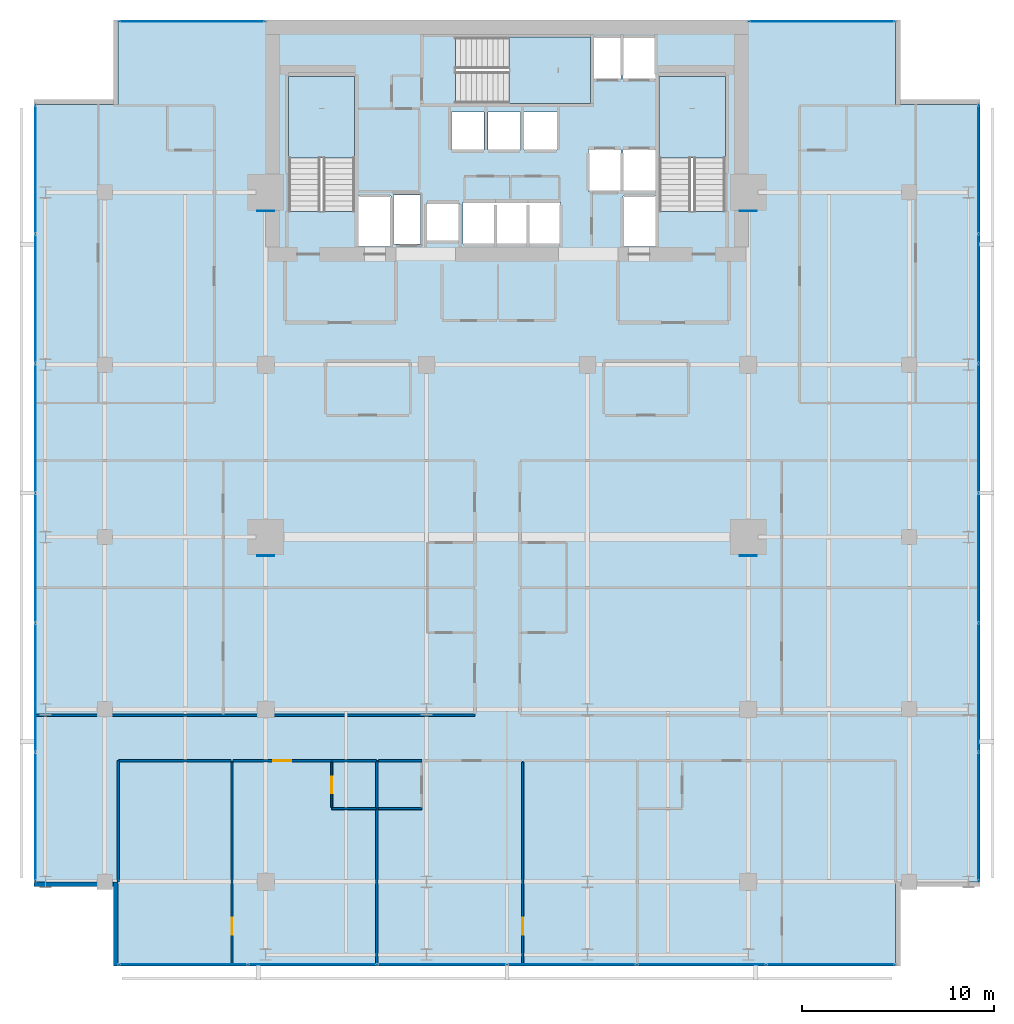
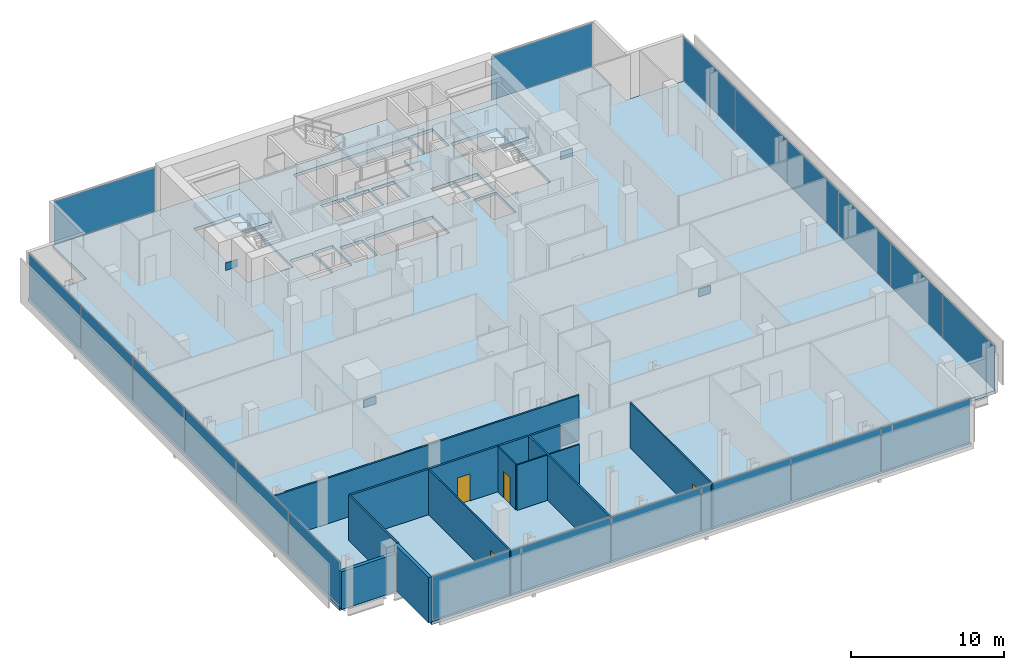
# One storey, part 26 of 33: 24 plates, 14 walls, 4 doors, 4 slabs, 4 openings, 8 elements without a shape of their own.
"""IFC4 building model written with IfcOpenShell, lengths in metres."""

import ifcopenshell
import ifcopenshell.guid

model = None  # the IFC model being written
_history = None  # IfcOwnerHistory: only IFC2X3 demands one
_inside = {}  # id of a spatial element -> (the spatial element, [elements in it])
_under = {}  # id of a project, library or spatial element -> (it, [spatial elements below it])
_declared = {}  # id of a project -> (the project, [libraries it declares])
_typed = {}  # id of a type object -> (the type object, [elements of that type])
_made_of = {}  # id of a material, layer set ... -> (it, [elements and type objects made of it])


def new_model(schema):
    """Start an empty IFC model of exactly this schema.

    Asked for "IFC4X3", IfcOpenShell would pick the latest addendum, in which some entities
    have other attributes; the version numbers below select the first issue.
    IFC2X3 requires an IfcOwnerHistory on every rooted entity: one is made here for all.
    """
    global model, _history
    if schema == "IFC4X3":
        model = ifcopenshell.file(schema_version=(4, 3, 0, 0))
    else:
        model = ifcopenshell.file(schema=schema)
    _inside.clear()
    _under.clear()
    _declared.clear()
    _typed.clear()
    _made_of.clear()
    _history = None
    if model.schema == "IFC2X3":
        org = make("IfcOrganization", Name="unknown")
        user = make(
            "IfcPersonAndOrganization",
            ThePerson=make("IfcPerson", FamilyName="unknown"),
            TheOrganization=org,
        )
        app = make(
            "IfcApplication",
            ApplicationDeveloper=org,
            Version="unknown",
            ApplicationFullName="unknown",
            ApplicationIdentifier="unknown",
        )
        _history = make(
            "IfcOwnerHistory",
            OwningUser=user,
            OwningApplication=app,
            ChangeAction="ADDED",
            CreationDate=0,
        )
    return model


def make(cls, **values):
    """One entity of the class cls with the attributes given. An attribute that is None is left unset."""
    return model.create_entity(
        cls, **{name: value for name, value in values.items() if value is not None}
    )


def rooted(cls, **values):
    """An entity with a GlobalId (a new one), such as an element, a storey or a relation."""
    return make(cls, GlobalId=ifcopenshell.guid.new(), OwnerHistory=_history, **values)


def si_unit(unit_type, name, prefix=None):
    """IfcSIUnit, for example si_unit("LENGTHUNIT", "METRE", prefix="MILLI")."""
    return make("IfcSIUnit", UnitType=unit_type, Prefix=prefix, Name=name)


def assignment(units):
    """IfcUnitAssignment: the units of a project."""
    return None if units is None else make("IfcUnitAssignment", Units=units)


def point(xyz):
    """IfcCartesianPoint."""
    return None if xyz is None else make("IfcCartesianPoint", Coordinates=xyz)


def direction(xyz):
    """IfcDirection."""
    return None if xyz is None else make("IfcDirection", DirectionRatios=xyz)


def frame(location, z_axis=None, x_axis=None):
    """IfcAxis2Placement3D, a coordinate frame: its origin and axes. An axis left out is left unset."""
    return make(
        "IfcAxis2Placement3D",
        Location=point(location),
        Axis=direction(z_axis),
        RefDirection=direction(x_axis),
    )


def frame_2d(location, x_axis=None):
    """IfcAxis2Placement2D, a coordinate frame in the plane: its origin and x axis."""
    return make(
        "IfcAxis2Placement2D", Location=point(location), RefDirection=direction(x_axis)
    )


def origin():
    """The frame at (0, 0, 0) with its axes left unset."""
    return frame((0.0, 0.0, 0.0))


def origin_2d():
    """The frame at (0, 0) in the plane with its x axis left unset."""
    return frame_2d((0.0, 0.0))


def place(relative_to, where):
    """IfcLocalPlacement: puts the frame where relative to a parent placement (None: the world)."""
    return make(
        "IfcLocalPlacement", PlacementRelTo=relative_to, RelativePlacement=where
    )


def context(
    kind, dimensions, precision=None, world=None, true_north=None, identifier=None
):
    """IfcGeometricRepresentationContext, for example the 3D "Model" context."""
    return make(
        "IfcGeometricRepresentationContext",
        ContextIdentifier=identifier,
        ContextType=kind,
        CoordinateSpaceDimension=dimensions,
        Precision=precision,
        WorldCoordinateSystem=world,
        TrueNorth=true_north,
    )


def subcontext(parent, identifier, kind, view, scale=None):
    """IfcGeometricRepresentationSubContext, for example "Body" below "Model"."""
    return make(
        "IfcGeometricRepresentationSubContext",
        ContextIdentifier=identifier,
        ContextType=kind,
        ParentContext=parent,
        TargetScale=scale,
        TargetView=view,
    )


def project(units=None, contexts=None):
    """IfcProject with its units and contexts."""
    return rooted(
        "IfcProject",
        Name="project",
        RepresentationContexts=contexts,
        UnitsInContext=assignment(units),
    )


def spatial(cls, under=None, at=None, **own):
    """A site, building, storey or space (cls), placed at a placement, below another one or the project."""
    s = rooted(cls, ObjectPlacement=at, **own)
    if under is not None:
        _under.setdefault(under.id(), (under, []))[1].append(s)
    return s


def polyline(points):
    """IfcPolyline through the points."""
    return make("IfcPolyline", Points=[point(p) for p in points])


def profile(cls, at=None, kind="AREA", **sizes):
    """A parametric profile (cls). Its sizes go by their IFC names, for example OverallWidth=200.0."""
    return make(cls, ProfileType=kind, Position=at, **sizes)


def rectangle(**sizes):
    """IfcRectangleProfileDef."""
    return profile("IfcRectangleProfileDef", **sizes)


def outline(outer, holes=None, kind="AREA"):
    """IfcArbitraryClosedProfileDef: a profile drawn as a closed curve; with holes, ...WithVoids."""
    if holes is None:
        return make("IfcArbitraryClosedProfileDef", ProfileType=kind, OuterCurve=outer)
    return make(
        "IfcArbitraryProfileDefWithVoids",
        ProfileType=kind,
        OuterCurve=outer,
        InnerCurves=holes,
    )


def extrude(swept, where, along, depth):
    """IfcExtrudedAreaSolid: the profile swept, set in the frame where, extruded along a direction by depth."""
    return make(
        "IfcExtrudedAreaSolid",
        SweptArea=swept,
        Position=where,
        ExtrudedDirection=direction(along),
        Depth=depth,
    )


def shape(context_of_items, identifier, shape_type, items):
    """IfcShapeRepresentation: the items that make up one representation, for example the "Body"."""
    return make(
        "IfcShapeRepresentation",
        ContextOfItems=context_of_items,
        RepresentationIdentifier=identifier,
        RepresentationType=shape_type,
        Items=items,
    )


def material(Name=None, Category=None):
    """IfcMaterial."""
    return make("IfcMaterial", Name=Name, Category=Category)


def layer(
    of_material, thickness, ventilated=None, Name=None, Category=None, Priority=None
):
    """IfcMaterialLayer: one layer of a wall or slab, of a material (None: an air gap)."""
    return make(
        "IfcMaterialLayer",
        Material=of_material,
        LayerThickness=thickness,
        IsVentilated=ventilated,
        Name=Name,
        Category=Category,
        Priority=Priority,
    )


def layer_set(layers, Name=None):
    """IfcMaterialLayerSet."""
    return make("IfcMaterialLayerSet", MaterialLayers=layers, LayerSetName=Name)


def made_of(thing, what):
    """Note that an element or type object is made of a material, layer set ...; save() writes the relation."""
    if what is not None:
        _made_of.setdefault(what.id(), (what, []))[1].append(thing)
    return thing


def type_object(cls, material=None, **own):
    """A type object (cls), such as IfcWallType, which elements share."""
    return made_of(rooted(cls, **own), material)


def element(
    cls,
    number,
    at=None,
    inside=None,
    cuts=None,
    type_object=None,
    material=None,
    context=None,
    identifier="Body",
    shape_type=None,
    held_by="IfcProductDefinitionShape",
    body=None,
    shapes=None,
    **own,
):
    """One element of the class cls, such as IfcWall. Its Tag is "e" and its number.

    at: its placement. inside: the storey or other place that contains it. cuts: it is an
    opening in that element (IfcRelVoidsElement). A single representation is given by context,
    identifier, shape_type and body (its items); several are given by shapes. held_by: the class
    of the entity that holds the representations. save() writes the other relations.
    """
    e = rooted(cls, Tag="e%d" % number, ObjectPlacement=at, **own)
    if body is not None:
        shapes = [shape(context, identifier, shape_type, body)]
    if shapes is not None:
        e.Representation = make(held_by, Representations=shapes)
    if inside is not None:
        _inside.setdefault(inside.id(), (inside, []))[1].append(e)
    if cuts is not None:
        rooted(
            "IfcRelVoidsElement", RelatingBuildingElement=cuts, RelatedOpeningElement=e
        )
    if type_object is not None:
        _typed.setdefault(type_object.id(), (type_object, []))[1].append(e)
    return made_of(e, material)


def fill(opening, filler):
    """IfcRelFillsElement: the door or window that sits in an opening."""
    return rooted(
        "IfcRelFillsElement",
        RelatingOpeningElement=opening,
        RelatedBuildingElement=filler,
    )


def aggregate(whole, parts):
    """IfcRelAggregates: a whole, such as a stair, and the parts it consists of."""
    return rooted("IfcRelAggregates", RelatingObject=whole, RelatedObjects=parts)


def save(model, path):
    """Write the relations noted so far, then the file.

    IfcRelAggregates (storeys below a building ...), IfcRelContainedInSpatialStructure (elements
    in a storey), IfcRelDefinesByType, IfcRelAssociatesMaterial and IfcRelDeclares: one each for
    every whole, place, type object, material and project.
    """
    for whole, parts in _under.values():
        aggregate(whole, parts)
    for where, things in _inside.values():
        rooted(
            "IfcRelContainedInSpatialStructure",
            RelatedElements=things,
            RelatingStructure=where,
        )
    for kind, things in _typed.values():
        rooted("IfcRelDefinesByType", RelatedObjects=things, RelatingType=kind)
    for what, things in _made_of.values():
        rooted("IfcRelAssociatesMaterial", RelatedObjects=things, RelatingMaterial=what)
    for by, libraries in _declared.values():
        rooted("IfcRelDeclares", RelatingContext=by, RelatedDefinitions=libraries)
    model.write(path)


model = new_model("IFC4")

# Units and contexts
model_context = context("Model", 3, precision=1e-05, world=origin(), true_north=direction((0.0, 1.0)))
body_context = subcontext(model_context, "Body", "Model", "MODEL_VIEW")
ifc_project = project(units=[si_unit("LENGTHUNIT", "METRE"), si_unit("AREAUNIT", "SQUARE_METRE"), si_unit("VOLUMEUNIT", "CUBIC_METRE"), si_unit("PLANEANGLEUNIT", "RADIAN"), si_unit("MASSUNIT", "GRAM", prefix="KILO")], contexts=[model_context])

# Site, building, storey
site_placement = place(None, origin())
site = spatial("IfcSite", under=ifc_project, at=site_placement, CompositionType="ELEMENT")
building_placement = place(site_placement, origin())
building = spatial("IfcBuilding", under=site, at=building_placement, Name="Maruvema Waterfront Hotel and Observation Tower", CompositionType="ELEMENT")
storey_placement = place(building_placement, frame((0.0, 0.0, 169.75)))
storey = spatial("IfcBuildingStorey", under=building, at=storey_placement, Name="L41", CompositionType="ELEMENT", Elevation=169.75)

# Slab
ifc_material_1 = material(Name="Concrete C50/60", Category="concrete")
ifc_layer_1 = layer(ifc_material_1, 0.239990234375, Name="Reinforced Concrete Floor Slab 240 mm")
ifc_layer_set_1 = layer_set([ifc_layer_1], Name="Concrete C50/60")
slab_type_1 = type_object("IfcSlabType", Name="Reinforced Concrete Floor Slab 240 mm", PredefinedType="FLOOR", material=ifc_layer_set_1)
slab_1_placement = place(storey_placement, frame((0.0, 0.0, -0.239990234375)))
element("IfcSlab", 1, at=slab_1_placement, inside=storey, type_object=slab_type_1, Name="L41 Structural Floor Slab", PredefinedType="FLOOR", context=body_context, shape_type="SweptSolid", body=[
    extrude(outline(polyline([(17.5, 4.60009765625), (58.10009765625, 4.60009765625), (58.10009765625, 9.0), (62.5, 9.0), (62.5, 49.60009765625), (58.10009765625, 49.60009765625), (58.10009765625, 54.0), (17.5, 54.0), (17.5, 49.60009765625), (13.10009765625, 49.60009765625), (13.10009765625, 9.0), (17.5, 9.0), (17.5, 4.60009765625)]), holes=[polyline([(26.39990234375, 44.00048828125), (26.39990234375, 51.050048828125), (29.85009765625, 51.050048828125), (29.85009765625, 44.00048828125), (26.39990234375, 44.00048828125)]), polyline([(30.050048828125, 44.800048828125), (31.75, 44.800048828125), (31.75, 42.169921875), (30.050048828125, 42.169921875), (30.050048828125, 44.800048828125)]), polyline([(31.8798828125, 44.860107421875), (33.280029296875, 44.860107421875), (33.280029296875, 42.2900390625), (31.8798828125, 42.2900390625), (31.8798828125, 44.860107421875)]), polyline([(33.60009765625, 44.449951171875), (35.300048828125, 44.449951171875), (35.300048828125, 42.449951171875), (33.60009765625, 42.449951171875), (33.60009765625, 44.449951171875)]), polyline([(34.89990234375, 49.199951171875), (36.60009765625, 49.199951171875), (36.60009765625, 47.199951171875), (34.89990234375, 47.199951171875), (34.89990234375, 49.199951171875)]), polyline([(36.800048828125, 49.199951171875), (38.5, 49.199951171875), (38.5, 47.199951171875), (36.800048828125, 47.199951171875), (36.800048828125, 49.199951171875)]), polyline([(35.5, 42.300048828125), (35.5, 44.5), (40.60009765625, 44.5), (40.60009765625, 42.300048828125), (35.5, 42.300048828125)]), polyline([(35.1005859375, 53.10009765625), (43.75, 53.10009765625), (43.75, 50.89990234375), (42.14990234375, 50.89990234375), (42.14990234375, 49.64990234375), (35.1005859375, 49.64990234375), (35.1005859375, 53.10009765625)]), polyline([(38.699951171875, 49.199951171875), (40.39990234375, 49.199951171875), (40.39990234375, 47.199951171875), (38.699951171875, 47.199951171875), (38.699951171875, 49.199951171875)]), polyline([(42.050048828125, 47.25), (43.75, 47.25), (43.75, 45.050048828125), (42.050048828125, 45.050048828125), (42.050048828125, 47.25)]), polyline([(43.85009765625, 44.800048828125), (45.550048828125, 44.800048828125), (45.550048828125, 42.169921875), (43.85009765625, 42.169921875), (43.85009765625, 44.800048828125)]), polyline([(43.85009765625, 47.25), (45.550048828125, 47.25), (45.550048828125, 45.050048828125), (43.85009765625, 45.050048828125), (43.85009765625, 47.25)]), polyline([(45.550048828125, 53.10009765625), (45.550048828125, 50.89990234375), (43.85009765625, 50.89990234375), (43.85009765625, 53.10009765625), (45.550048828125, 53.10009765625)]), polyline([(45.75, 44.00048828125), (45.75, 51.050048828125), (49.199951171875, 51.050048828125), (49.199951171875, 44.00048828125), (45.75, 44.00048828125)])]), origin(), (0.0, 0.0, 1.0), 0.239990234375),
])

# Curtain wall, plates
ifc_material_2 = material(Name="Anodised bronze aluminium and solar-control low-E IGU", Category="aluminium")
ifc_layer_2 = layer(ifc_material_2, 0.159912109375, Name="Zone 2 Amber Inner Thermal Curtain Wall System CW-03")
ifc_layer_set_2 = layer_set([ifc_layer_2], Name="Anodised bronze aluminium and solar-control low-E IGU")
curtain_wall_type = type_object("IfcCurtainWallType", Name="Zone 2 Amber Inner Thermal Curtain Wall System CW-03", PredefinedType="USERDEFINED", material=ifc_layer_set_2)
curtain_wall_1_placement = place(storey_placement, origin())
curtain_wall_1 = element("IfcCurtainWall", 2, at=curtain_wall_1_placement, inside=storey, type_object=curtain_wall_type, Name="L41 Curtain Wall CW-L41-S", ObjectType="UNITISED CURTAIN WALL", PredefinedType="USERDEFINED")
ifc_material_3 = material(Name="Laminated low-E solar-control double glazing", Category="glass")
ifc_layer_3 = layer(ifc_material_3, 0.035888671875, Name="Solar Control Double-Glazed Curtain Panel 36 mm")
ifc_layer_set_3 = layer_set([ifc_layer_3], Name="Laminated low-E solar-control double glazing")
plate_type_1 = type_object("IfcPlateType", Name="Solar Control Double-Glazed Curtain Panel 36 mm", PredefinedType="CURTAIN_PANEL", material=ifc_layer_set_3)
plate_1_placement = place(storey_placement, frame((20.8984375, 4.679931640625, 0.06005859375), z_axis=(0.0, 0.0, 1.0), x_axis=(1.0, 0.0, 0.0)))
plate_1 = element("IfcPlate", 3, at=plate_1_placement, type_object=plate_type_1, Name="CW-03 panel 1.1", PredefinedType="CURTAIN_PANEL", context=body_context, shape_type="SweptSolid", body=[
    extrude(rectangle(XDim=6.6767578125, YDim=0.028076171875, at=origin_2d()), origin(), (0.0, 0.0, 1.0), 3.489990234375),
])
plate_2_placement = place(storey_placement, frame((27.64990234375, 4.679931640625, 0.06005859375), z_axis=(0.0, 0.0, 1.0), x_axis=(1.0, 0.0, 0.0)))
plate_2 = element("IfcPlate", 4, at=plate_2_placement, type_object=plate_type_1, Name="CW-03 panel 2.1", PredefinedType="CURTAIN_PANEL", context=body_context, shape_type="SweptSolid", body=[
    extrude(rectangle(XDim=6.706787109375, YDim=0.028076171875, at=origin_2d()), origin(), (0.0, 0.0, 1.0), 3.489990234375),
])
plate_3_placement = place(storey_placement, frame((34.416748046875, 4.679931640625, 0.06005859375), z_axis=(0.0, 0.0, 1.0), x_axis=(1.0, 0.0, 0.0)))
plate_3 = element("IfcPlate", 5, at=plate_3_placement, type_object=plate_type_1, Name="CW-03 panel 3.1", PredefinedType="CURTAIN_PANEL", context=body_context, shape_type="SweptSolid", body=[
    extrude(rectangle(XDim=6.706787109375, YDim=0.028076171875, at=origin_2d()), origin(), (0.0, 0.0, 1.0), 3.489990234375),
])
plate_4_placement = place(storey_placement, frame((41.183349609375, 4.679931640625, 0.06005859375), z_axis=(0.0, 0.0, 1.0), x_axis=(1.0, 0.0, 0.0)))
plate_4 = element("IfcPlate", 6, at=plate_4_placement, type_object=plate_type_1, Name="CW-03 panel 4.1", PredefinedType="CURTAIN_PANEL", context=body_context, shape_type="SweptSolid", body=[
    extrude(rectangle(XDim=6.706787109375, YDim=0.028076171875, at=origin_2d()), origin(), (0.0, 0.0, 1.0), 3.489990234375),
])
plate_5_placement = place(storey_placement, frame((47.949951171875, 4.679931640625, 0.06005859375), z_axis=(0.0, 0.0, 1.0), x_axis=(1.0, 0.0, 0.0)))
plate_5 = element("IfcPlate", 7, at=plate_5_placement, type_object=plate_type_1, Name="CW-03 panel 5.1", PredefinedType="CURTAIN_PANEL", context=body_context, shape_type="SweptSolid", body=[
    extrude(rectangle(XDim=6.706787109375, YDim=0.028076171875, at=origin_2d()), origin(), (0.0, 0.0, 1.0), 3.489990234375),
])
plate_6_placement = place(storey_placement, frame((54.70166015625, 4.679931640625, 0.06005859375), z_axis=(0.0, 0.0, 1.0), x_axis=(1.0, 0.0, 0.0)))
plate_6 = element("IfcPlate", 8, at=plate_6_placement, type_object=plate_type_1, Name="CW-03 panel 6.1", PredefinedType="CURTAIN_PANEL", context=body_context, shape_type="SweptSolid", body=[
    extrude(rectangle(XDim=6.6767578125, YDim=0.028076171875, at=origin_2d()), origin(), (0.0, 0.0, 1.0), 3.489990234375),
])
aggregate(curtain_wall_1, [plate_1, plate_2, plate_3, plate_4, plate_5, plate_6])

curtain_wall_2_placement = place(storey_placement, origin())
curtain_wall_2 = element("IfcCurtainWall", 9, at=curtain_wall_2_placement, inside=storey, type_object=curtain_wall_type, Name="L41 Curtain Wall CW-L41-E", ObjectType="UNITISED CURTAIN WALL", PredefinedType="USERDEFINED")
plate_7_placement = place(storey_placement, frame((62.419921875, 12.3984375, 0.06005859375), z_axis=(0.0, 0.0, 1.0), x_axis=(0.0, 1.0, 0.0)))
plate_7 = element("IfcPlate", 10, at=plate_7_placement, type_object=plate_type_1, Name="CW-03 panel 1.1", PredefinedType="CURTAIN_PANEL", context=body_context, shape_type="SweptSolid", body=[
    extrude(rectangle(XDim=6.6767578125, YDim=0.028076171875, at=origin_2d()), origin(), (0.0, 0.0, 1.0), 3.489990234375),
])
plate_8_placement = place(storey_placement, frame((62.419921875, 19.14990234375, 0.06005859375), z_axis=(0.0, 0.0, 1.0), x_axis=(0.0, 1.0, 0.0)))
plate_8 = element("IfcPlate", 11, at=plate_8_placement, type_object=plate_type_1, Name="CW-03 panel 2.1", PredefinedType="CURTAIN_PANEL", context=body_context, shape_type="SweptSolid", body=[
    extrude(rectangle(XDim=6.706787109375, YDim=0.028076171875, at=origin_2d()), origin(), (0.0, 0.0, 1.0), 3.489990234375),
])
plate_9_placement = place(storey_placement, frame((62.419921875, 25.916748046875, 0.06005859375), z_axis=(0.0, 0.0, 1.0), x_axis=(0.0, 1.0, 0.0)))
plate_9 = element("IfcPlate", 12, at=plate_9_placement, type_object=plate_type_1, Name="CW-03 panel 3.1", PredefinedType="CURTAIN_PANEL", context=body_context, shape_type="SweptSolid", body=[
    extrude(rectangle(XDim=6.706787109375, YDim=0.028076171875, at=origin_2d()), origin(), (0.0, 0.0, 1.0), 3.489990234375),
])
plate_10_placement = place(storey_placement, frame((62.419921875, 32.683349609375, 0.06005859375), z_axis=(0.0, 0.0, 1.0), x_axis=(0.0, 1.0, 0.0)))
plate_10 = element("IfcPlate", 13, at=plate_10_placement, type_object=plate_type_1, Name="CW-03 panel 4.1", PredefinedType="CURTAIN_PANEL", context=body_context, shape_type="SweptSolid", body=[
    extrude(rectangle(XDim=6.706787109375, YDim=0.028076171875, at=origin_2d()), origin(), (0.0, 0.0, 1.0), 3.489990234375),
])
plate_11_placement = place(storey_placement, frame((62.419921875, 39.449951171875, 0.06005859375), z_axis=(0.0, 0.0, 1.0), x_axis=(0.0, 1.0, 0.0)))
plate_11 = element("IfcPlate", 14, at=plate_11_placement, type_object=plate_type_1, Name="CW-03 panel 5.1", PredefinedType="CURTAIN_PANEL", context=body_context, shape_type="SweptSolid", body=[
    extrude(rectangle(XDim=6.706787109375, YDim=0.028076171875, at=origin_2d()), origin(), (0.0, 0.0, 1.0), 3.489990234375),
])
plate_12_placement = place(storey_placement, frame((62.419921875, 46.20166015625, 0.06005859375), z_axis=(0.0, 0.0, 1.0), x_axis=(0.0, 1.0, 0.0)))
plate_12 = element("IfcPlate", 15, at=plate_12_placement, type_object=plate_type_1, Name="CW-03 panel 6.1", PredefinedType="CURTAIN_PANEL", context=body_context, shape_type="SweptSolid", body=[
    extrude(rectangle(XDim=6.6767578125, YDim=0.028076171875, at=origin_2d()), origin(), (0.0, 0.0, 1.0), 3.489990234375),
])
aggregate(curtain_wall_2, [plate_7, plate_8, plate_9, plate_10, plate_11, plate_12])

curtain_wall_3_placement = place(storey_placement, origin())
curtain_wall_3 = element("IfcCurtainWall", 16, at=curtain_wall_3_placement, inside=storey, type_object=curtain_wall_type, Name="L41 Curtain Wall CW-L41-W", ObjectType="UNITISED CURTAIN WALL", PredefinedType="USERDEFINED")
plate_13_placement = place(storey_placement, frame((13.179931640625, 46.20166015625, 0.06005859375), z_axis=(0.0, 0.0, 1.0), x_axis=(0.0, -1.0, 0.0)))
plate_13 = element("IfcPlate", 17, at=plate_13_placement, type_object=plate_type_1, Name="CW-03 panel 1.1", PredefinedType="CURTAIN_PANEL", context=body_context, shape_type="SweptSolid", body=[
    extrude(rectangle(XDim=6.6767578125, YDim=0.028076171875, at=origin_2d()), origin(), (0.0, 0.0, 1.0), 3.489990234375),
])
plate_14_placement = place(storey_placement, frame((13.179931640625, 39.449951171875, 0.06005859375), z_axis=(0.0, 0.0, 1.0), x_axis=(0.0, -1.0, 0.0)))
plate_14 = element("IfcPlate", 18, at=plate_14_placement, type_object=plate_type_1, Name="CW-03 panel 2.1", PredefinedType="CURTAIN_PANEL", context=body_context, shape_type="SweptSolid", body=[
    extrude(rectangle(XDim=6.706787109375, YDim=0.028076171875, at=origin_2d()), origin(), (0.0, 0.0, 1.0), 3.489990234375),
])
plate_15_placement = place(storey_placement, frame((13.179931640625, 32.683349609375, 0.06005859375), z_axis=(0.0, 0.0, 1.0), x_axis=(0.0, -1.0, 0.0)))
plate_15 = element("IfcPlate", 19, at=plate_15_placement, type_object=plate_type_1, Name="CW-03 panel 3.1", PredefinedType="CURTAIN_PANEL", context=body_context, shape_type="SweptSolid", body=[
    extrude(rectangle(XDim=6.706787109375, YDim=0.028076171875, at=origin_2d()), origin(), (0.0, 0.0, 1.0), 3.489990234375),
])
plate_16_placement = place(storey_placement, frame((13.179931640625, 25.916748046875, 0.06005859375), z_axis=(0.0, 0.0, 1.0), x_axis=(0.0, -1.0, 0.0)))
plate_16 = element("IfcPlate", 20, at=plate_16_placement, type_object=plate_type_1, Name="CW-03 panel 4.1", PredefinedType="CURTAIN_PANEL", context=body_context, shape_type="SweptSolid", body=[
    extrude(rectangle(XDim=6.706787109375, YDim=0.028076171875, at=origin_2d()), origin(), (0.0, 0.0, 1.0), 3.489990234375),
])
plate_17_placement = place(storey_placement, frame((13.179931640625, 19.14990234375, 0.06005859375), z_axis=(0.0, 0.0, 1.0), x_axis=(0.0, -1.0, 0.0)))
plate_17 = element("IfcPlate", 21, at=plate_17_placement, type_object=plate_type_1, Name="CW-03 panel 5.1", PredefinedType="CURTAIN_PANEL", context=body_context, shape_type="SweptSolid", body=[
    extrude(rectangle(XDim=6.706787109375, YDim=0.028076171875, at=origin_2d()), origin(), (0.0, 0.0, 1.0), 3.489990234375),
])
plate_18_placement = place(storey_placement, frame((13.179931640625, 12.3984375, 0.06005859375), z_axis=(0.0, 0.0, 1.0), x_axis=(0.0, -1.0, 0.0)))
plate_18 = element("IfcPlate", 22, at=plate_18_placement, type_object=plate_type_1, Name="CW-03 panel 6.1", PredefinedType="CURTAIN_PANEL", context=body_context, shape_type="SweptSolid", body=[
    extrude(rectangle(XDim=6.6767578125, YDim=0.028076171875, at=origin_2d()), origin(), (0.0, 0.0, 1.0), 3.489990234375),
])
aggregate(curtain_wall_3, [plate_13, plate_14, plate_15, plate_16, plate_17, plate_18])

# Curtain wall, plate
curtain_wall_4_placement = place(storey_placement, origin())
curtain_wall_4 = element("IfcCurtainWall", 23, at=curtain_wall_4_placement, inside=storey, type_object=curtain_wall_type, Name="L41 Curtain Wall CW-L41-NW", ObjectType="UNITISED CURTAIN WALL", PredefinedType="USERDEFINED")
plate_19_placement = place(storey_placement, frame((21.35009765625, 53.919921875, 0.06005859375), z_axis=(0.0, 0.0, 1.0), x_axis=(-1.0, 0.0, 0.0)))
plate_19 = element("IfcPlate", 24, at=plate_19_placement, type_object=plate_type_1, Name="CW-03 panel 1.1", PredefinedType="CURTAIN_PANEL", context=body_context, shape_type="SweptSolid", body=[
    extrude(rectangle(XDim=7.580078125, YDim=0.028076171875, at=origin_2d()), origin(), (0.0, 0.0, 1.0), 3.489990234375),
])
aggregate(curtain_wall_4, [plate_19])

curtain_wall_5_placement = place(storey_placement, origin())
curtain_wall_5 = element("IfcCurtainWall", 25, at=curtain_wall_5_placement, inside=storey, type_object=curtain_wall_type, Name="L41 Curtain Wall CW-L41-NE", ObjectType="UNITISED CURTAIN WALL", PredefinedType="USERDEFINED")
plate_20_placement = place(storey_placement, frame((54.25, 53.919921875, 0.06005859375), z_axis=(0.0, 0.0, 1.0), x_axis=(-1.0, 0.0, 0.0)))
plate_20 = element("IfcPlate", 26, at=plate_20_placement, type_object=plate_type_1, Name="CW-03 panel 1.1", PredefinedType="CURTAIN_PANEL", context=body_context, shape_type="SweptSolid", body=[
    extrude(rectangle(XDim=7.580078125, YDim=0.028076171875, at=origin_2d()), origin(), (0.0, 0.0, 1.0), 3.489990234375),
])
aggregate(curtain_wall_5, [plate_20])

# Stair, slab
ifc_material_4 = material(Name="Concrete C50/60", Category="concrete")
stair_type = type_object("IfcStairType", Name="Dogleg Exit Stair 1650 mm (22R x 175.0 mm)", PredefinedType="HALF_TURN_STAIR", material=ifc_material_4)
stair_1_placement = place(storey_placement, origin())
stair_1 = element("IfcStair", 27, at=stair_1_placement, inside=storey, type_object=stair_type, Name="L41 ST-01", PredefinedType="HALF_TURN_STAIR")
ifc_material_5 = material(Name="Concrete C50/60", Category="concrete")
ifc_layer_4 = layer(ifc_material_5, 0.219970703125, Name="Stair Concrete Landing Slab 220 mm")
ifc_layer_set_4 = layer_set([ifc_layer_4], Name="Concrete C50/60")
slab_type_2 = type_object("IfcSlabType", Name="Stair Concrete Landing Slab 220 mm", PredefinedType="LANDING", material=ifc_layer_set_4)
slab_2_placement = place(storey_placement, frame((0.0, 0.0, 1.705078125)))
slab_2 = element("IfcSlab", 28, at=slab_2_placement, type_object=slab_type_2, Name="ST-01 landing 1", PredefinedType="LANDING", context=body_context, shape_type="SweptSolid", body=[
    extrude(outline(polyline([(29.85009765625, 46.800048828125), (29.85009765625, 51.050048828125), (26.39990234375, 51.050048828125), (26.39990234375, 46.800048828125), (29.85009765625, 46.800048828125)])), origin(), (0.0, 0.0, 1.0), 0.219970703125),
])
aggregate(stair_1, [slab_2])

stair_2_placement = place(storey_placement, origin())
stair_2 = element("IfcStair", 29, at=stair_2_placement, inside=storey, type_object=stair_type, Name="L41 ST-02", PredefinedType="HALF_TURN_STAIR")
slab_3_placement = place(storey_placement, frame((0.0, 0.0, 1.705078125)))
slab_3 = element("IfcSlab", 30, at=slab_3_placement, type_object=slab_type_2, Name="ST-02 landing 1", PredefinedType="LANDING", context=body_context, shape_type="SweptSolid", body=[
    extrude(outline(polyline([(37.89990234375, 49.64990234375), (42.14990234375, 49.64990234375), (42.14990234375, 53.10009765625), (37.89990234375, 53.10009765625), (37.89990234375, 49.64990234375)])), origin(), (0.0, 0.0, 1.0), 0.219970703125),
])
aggregate(stair_2, [slab_3])

stair_3_placement = place(storey_placement, origin())
stair_3 = element("IfcStair", 31, at=stair_3_placement, inside=storey, type_object=stair_type, Name="L41 ST-03", PredefinedType="HALF_TURN_STAIR")
slab_4_placement = place(storey_placement, frame((0.0, 0.0, 1.705078125)))
slab_4 = element("IfcSlab", 32, at=slab_4_placement, type_object=slab_type_2, Name="ST-03 landing 1", PredefinedType="LANDING", context=body_context, shape_type="SweptSolid", body=[
    extrude(outline(polyline([(49.199951171875, 46.800048828125), (49.199951171875, 51.050048828125), (45.75, 51.050048828125), (45.75, 46.800048828125), (49.199951171875, 46.800048828125)])), origin(), (0.0, 0.0, 1.0), 0.219970703125),
])
aggregate(stair_3, [slab_4])

# Plates
ifc_material_6 = material(Name="Steel ABNT NBR 7007 AR 415 (ASTM A572 Grade 50)", Category="steel")
ifc_layer_5 = layer(ifc_material_6, 0.0400390625, Name="Structural Truss Node Gusset Plate 40 mm")
ifc_layer_set_5 = layer_set([ifc_layer_5], Name="Steel ABNT NBR 7007 AR 415 (ASTM A572 Grade 50)")
plate_type_2 = type_object("IfcPlateType", Name="Structural Truss Node Gusset Plate 40 mm", PredefinedType="USERDEFINED", material=ifc_layer_set_5)
for number, where, z_axis, x_axis, name in (
    (33, (25.199951171875, 26.030029296875, 1.5), (0.0, 0.0, 1.0), (1.0, 0.0, 0.0), "L41 MC-01 Moment Frame Continuity Gusset Plate"),
    (34, (50.39990234375, 26.030029296875, 1.5), (0.0, 0.0, 1.0), (1.0, 0.0, 0.0), "L41 MC-02 Moment Frame Continuity Gusset Plate"),
    (35, (25.199951171875, 44.030029296875, 1.5), (0.0, 0.0, 1.0), (1.0, 0.0, 0.0), "L41 MC-03 Moment Frame Continuity Gusset Plate"),
    (36, (50.39990234375, 44.030029296875, 1.5), (0.0, 0.0, 1.0), (1.0, 0.0, 0.0), "L41 MC-04 Moment Frame Continuity Gusset Plate"),
):
    element("IfcPlate", number, at=place(storey_placement, frame(where, z_axis=z_axis, x_axis=x_axis)), inside=storey, type_object=plate_type_2, Name=name, ObjectType="GUSSET_PLATE", PredefinedType="USERDEFINED", context=body_context, shape_type="SweptSolid", body=[
        extrude(rectangle(XDim=0.89990234375, YDim=0.0400390625, at=origin_2d()), origin(), (0.0, 0.0, 1.0), 0.60009765625),
    ])

# Walls
ifc_material_7 = material(Name="Twin-stud acoustic gypsum drywall", Category="gypsum")
ifc_layer_6 = layer(ifc_material_7, 0.14990234375, Name="Acoustic Corridor and Suite Demising Wall 150 mm")
ifc_layer_set_6 = layer_set([ifc_layer_6], Name="Twin-stud acoustic gypsum drywall")
wall_type_1 = type_object("IfcWallType", Name="Acoustic Corridor and Suite Demising Wall 150 mm", PredefinedType="PARTITIONING", material=ifc_layer_set_6)
wall_1_placement = place(storey_placement, frame((28.64990234375, 15.320068359375, 0.0), z_axis=(0.0, 0.0, 1.0), x_axis=(1.0, 0.0, 0.0)))
element("IfcWall", 37, at=wall_1_placement, inside=storey, type_object=wall_type_1, Name="L41 Bath L41-S1 Back Wall 037", PredefinedType="PARTITIONING", context=body_context, shape_type="SweptSolid", body=[
    extrude(rectangle(XDim=2.330078125, YDim=0.14990234375, at=frame_2d((1.1650390625, 0.0))), origin(), (0.0, 0.0, 1.0), 3.610107421875),
])
wall_2_placement = place(storey_placement, frame((17.52001953125, 15.320068359375, 0.0), z_axis=(0.0, 0.0, 1.0), x_axis=(1.0, 0.0, 0.0)))
element("IfcWall", 38, at=wall_2_placement, inside=storey, type_object=wall_type_1, Name="L41 Bedroom L41-S1 Back Wall 040", PredefinedType="PARTITIONING", context=body_context, shape_type="SweptSolid", body=[
    extrude(rectangle(XDim=5.8798828125, YDim=0.14990234375, at=frame_2d((2.93994140625, 0.0))), origin(), (0.0, 0.0, 1.0), 3.610107421875),
])

# Wall, opening, door
wall_3_placement = place(storey_placement, frame((23.47998046875, 15.320068359375, 0.0), z_axis=(0.0, 0.0, 1.0), x_axis=(1.0, 0.0, 0.0)))
wall_3 = element("IfcWall", 39, at=wall_3_placement, inside=storey, type_object=wall_type_1, Name="L41 Unit L41-S1 Corridor Wall 041", PredefinedType="PARTITIONING", context=body_context, shape_type="SweptSolid", body=[
    extrude(rectangle(XDim=5.169921875, YDim=0.14990234375, at=frame_2d((2.5849609375, 0.0))), origin(), (0.0, 0.0, 1.0), 3.610107421875),
])
opening_1_placement = place(wall_3_placement, frame((2.110107421875, 0.0, 0.0)))
opening_1 = element("IfcOpeningElement", 40, at=opening_1_placement, cuts=wall_3, Name="Opening DR-095", PredefinedType="OPENING", context=body_context, shape_type="SweptSolid", body=[
    extrude(rectangle(XDim=0.949951171875, YDim=2.14990234375, at=frame_2d((0.47509765625, 1.074951171875))), frame((0.0, 0.0849609375, 0.0), z_axis=(0.0, -1.0, 0.0), x_axis=(1.0, 0.0, 0.0)), (0.0, 0.0, 1.0), 0.169921875),
])
ifc_material_8 = material(Name="Acoustic solid-core hardwood timber leaf", Category="wood")
door_type_1 = type_object("IfcDoorType", Name="Guestroom Entrance Fire Door 950x2150 mm", OperationType="NOTDEFINED", PredefinedType="DOOR", material=ifc_material_8)
door_1_placement = place(opening_1_placement, frame((0.949951171875, 0.0, 0.0), z_axis=(0.0, 0.0, 1.0), x_axis=(-1.0, 0.0, 0.0)))
door_1 = element("IfcDoor", 41, at=door_1_placement, inside=storey, type_object=door_type_1, Name="L41 Unit L41-S1 Entrance Door", OperationType="SINGLE_SWING_LEFT", OverallHeight=2.14990234375, OverallWidth=0.949951171875, PredefinedType="DOOR", context=body_context, shape_type="SweptSolid", body=[
    extrude(rectangle(XDim=0.949951171875, YDim=2.14990234375, at=frame_2d((0.47509765625, 1.074951171875))), frame((0.0, 0.02490234375, 0.0), z_axis=(0.0, -1.0, 0.0), x_axis=(1.0, 0.0, 0.0)), (0.0, 0.0, 1.0), 0.050048828125),
])
fill(opening_1, door_1)

# Walls
wall_4_placement = place(storey_placement, frame((31.080078125, 15.320068359375, 0.0), z_axis=(0.0, 0.0, 1.0), x_axis=(1.0, 0.0, 0.0)))
element("IfcWall", 42, at=wall_4_placement, inside=storey, type_object=wall_type_1, Name="L41 Bath L41-S2 Back Wall 044", PredefinedType="PARTITIONING", context=body_context, shape_type="SweptSolid", body=[
    extrude(rectangle(XDim=2.27001953125, YDim=0.14990234375, at=frame_2d((1.135009765625, 0.0))), origin(), (0.0, 0.0, 1.0), 3.610107421875),
])
ifc_material_9 = material(Name="Moisture-resistant cement-board drywall", Category="gypsum")
ifc_layer_7 = layer(ifc_material_9, 0.10009765625, Name="En-Suite Moisture-Resistant Partition 100 mm")
ifc_layer_set_7 = layer_set([ifc_layer_7], Name="Moisture-resistant cement-board drywall")
wall_type_2 = type_object("IfcWallType", Name="En-Suite Moisture-Resistant Partition 100 mm", PredefinedType="PARTITIONING", material=ifc_layer_set_7)
wall_5_placement = place(storey_placement, frame((28.64990234375, 12.820068359375, 0.0), z_axis=(0.0, 0.0, 1.0), x_axis=(1.0, 0.0, 0.0)))
element("IfcWall", 43, at=wall_5_placement, inside=storey, type_object=wall_type_2, Name="L41 En-Suite L41-S1 South 038", PredefinedType="PARTITIONING", context=body_context, shape_type="SweptSolid", body=[
    extrude(rectangle(XDim=2.31005859375, YDim=0.10009765625, at=frame_2d((1.155029296875, 0.0))), origin(), (0.0, 0.0, 1.0), 3.610107421875),
])

# Wall, opening, door
wall_6_placement = place(storey_placement, frame((28.64990234375, 12.8798828125, 0.0), z_axis=(0.0, 0.0, 1.0), x_axis=(0.0, 1.0, 0.0)))
wall_6 = element("IfcWall", 44, at=wall_6_placement, inside=storey, type_object=wall_type_2, Name="L41 En-Suite L41-S1 West 039", PredefinedType="PARTITIONING", context=body_context, shape_type="SweptSolid", body=[
    extrude(rectangle(XDim=2.340087890625, YDim=0.10009765625, at=frame_2d((1.169921875, 0.0))), origin(), (0.0, 0.0, 1.0), 3.610107421875),
])
opening_2_placement = place(wall_6_placement, frame((0.7451171875, 0.0, 0.0)))
opening_2 = element("IfcOpeningElement", 45, at=opening_2_placement, cuts=wall_6, Name="Opening DR-085", PredefinedType="OPENING", context=body_context, shape_type="SweptSolid", body=[
    extrude(rectangle(XDim=0.85009765625, YDim=2.10009765625, at=frame_2d((0.425048828125, 1.050048828125))), frame((0.0, 0.06005859375, 0.0), z_axis=(0.0, -1.0, 0.0), x_axis=(1.0, 0.0, 0.0)), (0.0, 0.0, 1.0), 0.1201171875),
])
ifc_material_10 = material(Name="Moisture-resistant solid timber leaf", Category="wood")
door_type_2 = type_object("IfcDoorType", Name="En-Suite Bathroom Door 850x2100 mm", OperationType="NOTDEFINED", PredefinedType="DOOR", material=ifc_material_10)
door_2_placement = place(opening_2_placement, origin())
door_2 = element("IfcDoor", 46, at=door_2_placement, inside=storey, type_object=door_type_2, Name="L41 En-Suite L41-S1 Door", OperationType="SINGLE_SWING_RIGHT", OverallHeight=2.10009765625, OverallWidth=0.85009765625, PredefinedType="DOOR", context=body_context, shape_type="SweptSolid", body=[
    extrude(rectangle(XDim=0.85009765625, YDim=2.10009765625, at=frame_2d((0.425048828125, 1.050048828125))), frame((0.0, 0.02490234375, 0.0), z_axis=(0.0, -1.0, 0.0), x_axis=(1.0, 0.0, 0.0)), (0.0, 0.0, 1.0), 0.050048828125),
])
fill(opening_2, door_2)

wall_7_placement = place(storey_placement, frame((23.43994140625, 4.6298828125, 0.0), z_axis=(0.0, 0.0, 1.0), x_axis=(0.0, 1.0, 0.0)))
wall_7 = element("IfcWall", 47, at=wall_7_placement, inside=storey, type_object=wall_type_2, Name="L41 Suite L41-S1 Split 042", PredefinedType="PARTITIONING", context=body_context, shape_type="SweptSolid", body=[
    extrude(rectangle(XDim=10.630126953125, YDim=0.10009765625, at=frame_2d((5.31494140625, 0.0))), origin(), (0.0, 0.0, 1.0), 3.610107421875),
])
opening_3_placement = place(wall_7_placement, frame((1.60009765625, 0.0, 0.0)))
opening_3 = element("IfcOpeningElement", 48, at=opening_3_placement, cuts=wall_7, Name="Opening DR-090", PredefinedType="OPENING", context=body_context, shape_type="SweptSolid", body=[
    extrude(rectangle(XDim=0.89990234375, YDim=2.10009765625, at=frame_2d((0.449951171875, 1.050048828125))), frame((0.0, 0.06005859375, 0.0), z_axis=(0.0, -1.0, 0.0), x_axis=(1.0, 0.0, 0.0)), (0.0, 0.0, 1.0), 0.1201171875),
])
ifc_material_11 = material(Name="Solid-core lacquered timber leaf", Category="wood")
door_type_3 = type_object("IfcDoorType", Name="Accessible Toilet and Room Door 900x2100 mm", OperationType="NOTDEFINED", PredefinedType="DOOR", material=ifc_material_11)
door_3_placement = place(opening_3_placement, frame((0.89990234375, 0.0, 0.0), z_axis=(0.0, 0.0, 1.0), x_axis=(-1.0, 0.0, 0.0)))
door_3 = element("IfcDoor", 49, at=door_3_placement, inside=storey, type_object=door_type_3, Name="L41 Suite L41-S1 Bedroom Door", OperationType="SINGLE_SWING_RIGHT", OverallHeight=2.10009765625, OverallWidth=0.89990234375, PredefinedType="DOOR", context=body_context, shape_type="SweptSolid", body=[
    extrude(rectangle(XDim=0.89990234375, YDim=2.10009765625, at=frame_2d((0.449951171875, 1.050048828125))), frame((0.0, 0.02490234375, 0.0), z_axis=(0.0, -1.0, 0.0), x_axis=(1.0, 0.0, 0.0)), (0.0, 0.0, 1.0), 0.050048828125),
])
fill(opening_3, door_3)

# Wall
wall_8_placement = place(storey_placement, frame((31.080078125, 12.820068359375, 0.0), z_axis=(0.0, 0.0, 1.0), x_axis=(1.0, 0.0, 0.0)))
element("IfcWall", 50, at=wall_8_placement, inside=storey, type_object=wall_type_2, Name="L41 En-Suite L41-S2 South 045", PredefinedType="PARTITIONING", context=body_context, shape_type="SweptSolid", body=[
    extrude(rectangle(XDim=2.27001953125, YDim=0.10009765625, at=frame_2d((1.135009765625, 0.0))), origin(), (0.0, 0.0, 1.0), 3.610107421875),
])

# Wall, opening, door
wall_9_placement = place(storey_placement, frame((38.615966796875, 4.6298828125, 0.0), z_axis=(0.0, 0.0, 1.0), x_axis=(0.0, 1.0, 0.0)))
wall_9 = element("IfcWall", 51, at=wall_9_placement, inside=storey, type_object=wall_type_2, Name="L41 Suite L41-S2 Split 049", PredefinedType="PARTITIONING", context=body_context, shape_type="SweptSolid", body=[
    extrude(rectangle(XDim=10.630126953125, YDim=0.10009765625, at=frame_2d((5.31494140625, 0.0))), origin(), (0.0, 0.0, 1.0), 3.610107421875),
])
opening_4_placement = place(wall_9_placement, frame((1.60009765625, 0.0, 0.0)))
opening_4 = element("IfcOpeningElement", 52, at=opening_4_placement, cuts=wall_9, Name="Opening DR-090", PredefinedType="OPENING", context=body_context, shape_type="SweptSolid", body=[
    extrude(rectangle(XDim=0.89990234375, YDim=2.10009765625, at=frame_2d((0.449951171875, 1.050048828125))), frame((0.0, 0.06005859375, 0.0), z_axis=(0.0, -1.0, 0.0), x_axis=(1.0, 0.0, 0.0)), (0.0, 0.0, 1.0), 0.1201171875),
])
door_4_placement = place(opening_4_placement, origin())
door_4 = element("IfcDoor", 53, at=door_4_placement, inside=storey, type_object=door_type_3, Name="L41 Suite L41-S2 Bedroom Door", OperationType="SINGLE_SWING_LEFT", OverallHeight=2.10009765625, OverallWidth=0.89990234375, PredefinedType="DOOR", context=body_context, shape_type="SweptSolid", body=[
    extrude(rectangle(XDim=0.89990234375, YDim=2.10009765625, at=frame_2d((0.449951171875, 1.050048828125))), frame((0.0, 0.02490234375, 0.0), z_axis=(0.0, -1.0, 0.0), x_axis=(1.0, 0.0, 0.0)), (0.0, 0.0, 1.0), 0.050048828125),
])
fill(opening_4, door_4)

# Walls
ifc_material_12 = material(Name="Precast concrete C45/55 with honed Pernambuco granite facing", Category="masonry")
ifc_layer_8 = layer(ifc_material_12, 0.260009765625, Name="Exterior Granite Clad Spandrel and Pier Wall 260 mm")
ifc_layer_set_8 = layer_set([ifc_layer_8], Name="Precast concrete C45/55 with honed Pernambuco granite facing")
wall_type_3 = type_object("IfcWallType", Name="Exterior Granite Clad Spandrel and Pier Wall 260 mm", PredefinedType="SOLIDWALL", material=ifc_layer_set_8)
wall_10_placement = place(storey_placement, frame((17.3701171875, 4.60009765625, 0.0), z_axis=(0.0, 0.0, 1.0), x_axis=(0.0, 1.0, 0.0)))
element("IfcWall", 54, at=wall_10_placement, inside=storey, type_object=wall_type_3, Name="L41 Corner Notch Granite Pier Wall SW1", PredefinedType="SOLIDWALL", context=body_context, shape_type="SweptSolid", body=[
    extrude(rectangle(XDim=4.39990234375, YDim=0.260009765625, at=frame_2d((2.199951171875, 0.0))), origin(), (0.0, 0.0, 1.0), 3.610107421875),
])
wall_11_placement = place(storey_placement, frame((17.5, 8.8701171875, 0.0), z_axis=(0.0, 0.0, 1.0), x_axis=(-1.0, 0.0, 0.0)))
element("IfcWall", 55, at=wall_11_placement, inside=storey, type_object=wall_type_3, Name="L41 Corner Notch Granite Pier Wall SW2", PredefinedType="SOLIDWALL", context=body_context, shape_type="SweptSolid", body=[
    extrude(rectangle(XDim=4.39990234375, YDim=0.260009765625, at=frame_2d((2.199951171875, 0.0))), origin(), (0.0, 0.0, 1.0), 3.007080078125),
])
ifc_material_13 = material(Name="Acoustic gypsum plasterboard drywall", Category="gypsum")
ifc_layer_9 = layer(ifc_material_13, 0.125, Name="Guestroom Acoustic Demising Wall 125 mm")
ifc_layer_set_9 = layer_set([ifc_layer_9], Name="Acoustic gypsum plasterboard drywall")
wall_type_4 = type_object("IfcWallType", Name="Guestroom Acoustic Demising Wall 125 mm", PredefinedType="PARTITIONING", material=ifc_layer_set_9)
wall_12_placement = place(storey_placement, frame((17.5, 9.0, 0.0), z_axis=(0.0, 0.0, 1.0), x_axis=(0.0, 1.0, 0.0)))
element("IfcWall", 56, at=wall_12_placement, inside=storey, type_object=wall_type_4, Name="L41 Z2 S West End 035", PredefinedType="PARTITIONING", context=body_context, shape_type="SweptSolid", body=[
    extrude(rectangle(XDim=6.320068359375, YDim=0.125, at=frame_2d((3.16015625, 0.0))), origin(), (0.0, 0.0, 1.0), 3.610107421875),
])
wall_13_placement = place(storey_placement, frame((31.0, 4.699951171875, 0.0), z_axis=(0.0, 0.0, 1.0), x_axis=(0.0, 1.0, 0.0)))
element("IfcWall", 57, at=wall_13_placement, inside=storey, type_object=wall_type_4, Name="L41 Z2 S Demising 2 043", PredefinedType="PARTITIONING", context=body_context, shape_type="SweptSolid", body=[
    extrude(rectangle(XDim=10.6201171875, YDim=0.125, at=frame_2d((5.31005859375, 0.0))), origin(), (0.0, 0.0, 1.0), 3.610107421875),
])
wall_14_placement = place(storey_placement, frame((13.199951171875, 17.699951171875, 0.0), z_axis=(0.0, 0.0, 1.0), x_axis=(1.0, 0.0, 0.0)))
element("IfcWall", 58, at=wall_14_placement, inside=storey, type_object=wall_type_4, Name="L41 Z2 W Bot End 057", PredefinedType="PARTITIONING", context=body_context, shape_type="SweptSolid", body=[
    extrude(rectangle(XDim=22.920166015625, YDim=0.125, at=frame_2d((11.4599609375, 0.0))), origin(), (0.0, 0.0, 1.0), 3.610107421875),
])

save(model, "model.ifc")
